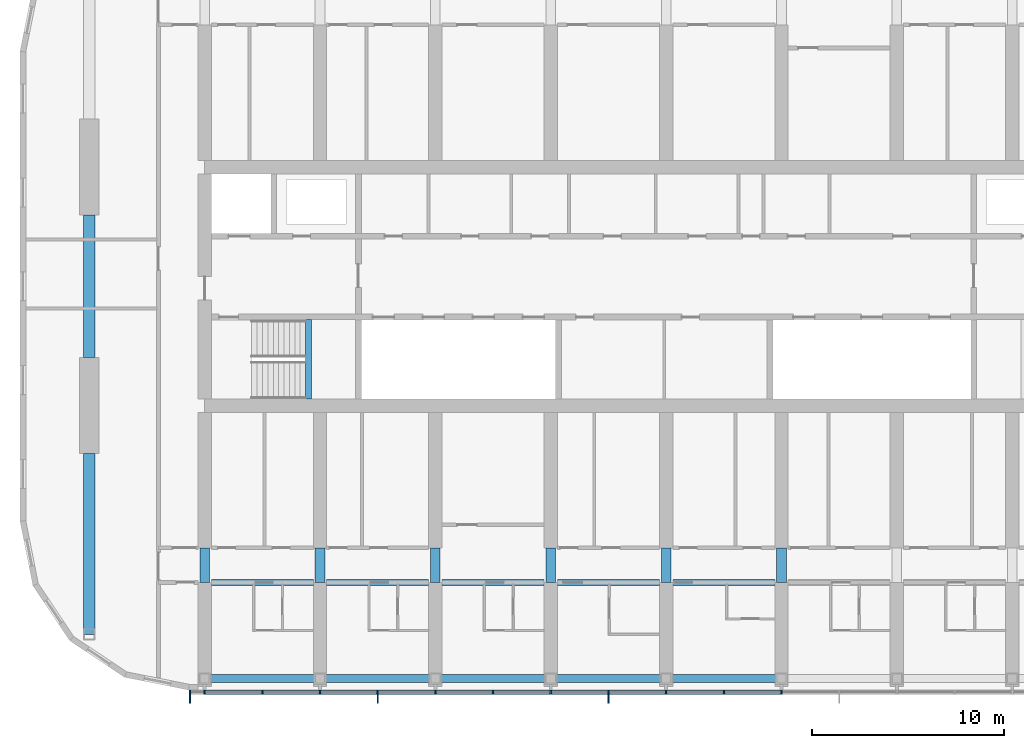
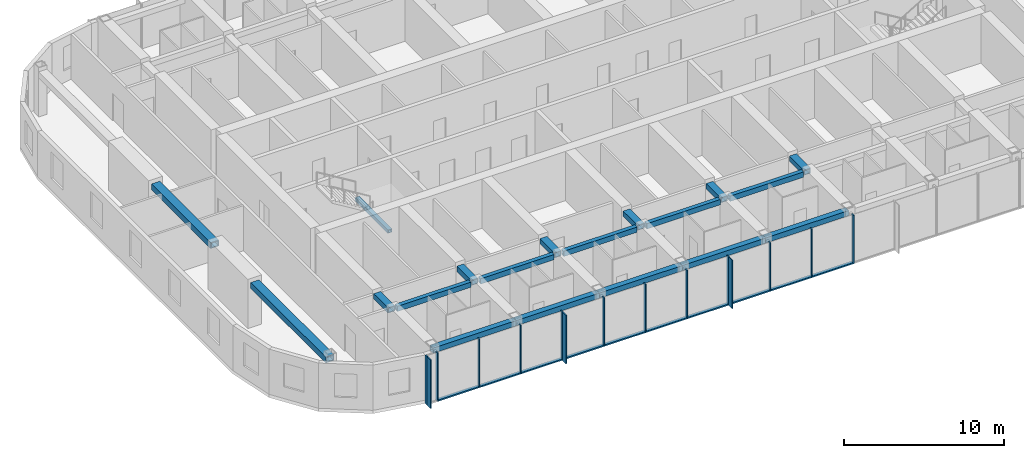
# One storey, part 2 of 23: 25 members, 19 beams, 1 element without a shape of its own.
"""IFC4 building model written with IfcOpenShell, lengths in metres."""

from ifc_helpers import new_model, si_unit, direction, frame, origin, origin_2d, place, context, subcontext, project, spatial, rectangle, hollow_rectangle, extrude, material, material_profile, profile_set, type_object, element, aggregate, save


model = new_model("IFC4")

# Units and contexts
model_context = context("Model", 3, precision=1e-05, world=origin(), true_north=direction((0.0, 1.0)))
body_context = subcontext(model_context, "Body", "Model", "MODEL_VIEW")
ifc_project = project(units=[si_unit("LENGTHUNIT", "METRE"), si_unit("AREAUNIT", "SQUARE_METRE"), si_unit("VOLUMEUNIT", "CUBIC_METRE"), si_unit("PLANEANGLEUNIT", "RADIAN"), si_unit("MASSUNIT", "GRAM", prefix="KILO")], contexts=[model_context])

# Site, building, storey
site_placement = place(None, origin())
site = spatial("IfcSite", under=ifc_project, at=site_placement, CompositionType="ELEMENT")
building_placement = place(site_placement, origin())
building = spatial("IfcBuilding", under=site, at=building_placement, Name="Orbita Commons", CompositionType="ELEMENT")
storey_placement = place(building_placement, frame((0.0, 0.0, 254.050048828125)))
storey = spatial("IfcBuildingStorey", under=building, at=storey_placement, Name="L63", CompositionType="ELEMENT", Elevation=254.050048828125)

# Curtain wall, members
ifc_material_1 = material(Name="Anodised aluminium frame, pale silver", Category="aluminium")
curtain_wall_type = type_object("IfcCurtainWallType", Name="Unitised curtain wall CW-U, full-height vision", PredefinedType="NOTDEFINED", material=ifc_material_1)
curtain_wall_placement = place(storey_placement, origin())
curtain_wall = element("IfcCurtainWall", 1, at=curtain_wall_placement, inside=storey, type_object=curtain_wall_type, Name="Curtain wall south L63", PredefinedType="NOTDEFINED")
ifc_material_2 = material(Name="Anodised aluminium, pale silver", Category="aluminium")
ifc_material_profile_1 = material_profile(ifc_material_2, rectangle(XDim=0.080078125, YDim=0.219970703125, at=origin_2d()), Name="AL 80x220")
ifc_profile_set_1 = profile_set([ifc_material_profile_1], Name="Anodised aluminium, pale silver")
member_type_1 = type_object("IfcMemberType", Name="Curtain wall mullion 80x220", PredefinedType="MULLION", material=ifc_profile_set_1)
member_1_placement = place(storey_placement, frame((17.239990234375, 10.889892578125, -0.25), z_axis=(0.0, 0.0, 1.0), x_axis=(1.0, 0.0, 0.0)))
member_1 = element("IfcMember", 2, at=member_1_placement, type_object=member_type_1, Name="Mullion 1 CW-L63-S", PredefinedType="MULLION", context=body_context, shape_type="SweptSolid", body=[
    extrude(rectangle(XDim=0.080078125, YDim=0.219970703125, at=origin_2d()), origin(), (0.0, 0.0, 1.0), 3.699951171875),
])
member_2_placement = place(storey_placement, frame((18.0, 10.889892578125, -0.25), z_axis=(0.0, 0.0, 1.0), x_axis=(1.0, 0.0, 0.0)))
member_2 = element("IfcMember", 3, at=member_2_placement, type_object=member_type_1, Name="Mullion 2 CW-L63-S", PredefinedType="MULLION", context=body_context, shape_type="SweptSolid", body=[
    extrude(rectangle(XDim=0.080078125, YDim=0.219970703125, at=origin_2d()), origin(), (0.0, 0.0, 1.0), 3.699951171875),
])
member_3_placement = place(storey_placement, frame((21.0, 10.889892578125, -0.25), z_axis=(0.0, 0.0, 1.0), x_axis=(1.0, 0.0, 0.0)))
member_3 = element("IfcMember", 4, at=member_3_placement, type_object=member_type_1, Name="Mullion 3 CW-L63-S", PredefinedType="MULLION", context=body_context, shape_type="SweptSolid", body=[
    extrude(rectangle(XDim=0.080078125, YDim=0.219970703125, at=origin_2d()), origin(), (0.0, 0.0, 1.0), 3.699951171875),
])
member_4_placement = place(storey_placement, frame((24.0, 10.889892578125, -0.25), z_axis=(0.0, 0.0, 1.0), x_axis=(1.0, 0.0, 0.0)))
member_4 = element("IfcMember", 5, at=member_4_placement, type_object=member_type_1, Name="Mullion 4 CW-L63-S", PredefinedType="MULLION", context=body_context, shape_type="SweptSolid", body=[
    extrude(rectangle(XDim=0.080078125, YDim=0.219970703125, at=origin_2d()), origin(), (0.0, 0.0, 1.0), 3.699951171875),
])
member_5_placement = place(storey_placement, frame((27.0, 10.889892578125, -0.25), z_axis=(0.0, 0.0, 1.0), x_axis=(1.0, 0.0, 0.0)))
member_5 = element("IfcMember", 6, at=member_5_placement, type_object=member_type_1, Name="Mullion 5 CW-L63-S", PredefinedType="MULLION", context=body_context, shape_type="SweptSolid", body=[
    extrude(rectangle(XDim=0.080078125, YDim=0.219970703125, at=origin_2d()), origin(), (0.0, 0.0, 1.0), 3.699951171875),
])
member_6_placement = place(storey_placement, frame((30.0, 10.889892578125, -0.25), z_axis=(0.0, 0.0, 1.0), x_axis=(1.0, 0.0, 0.0)))
member_6 = element("IfcMember", 7, at=member_6_placement, type_object=member_type_1, Name="Mullion 6 CW-L63-S", PredefinedType="MULLION", context=body_context, shape_type="SweptSolid", body=[
    extrude(rectangle(XDim=0.080078125, YDim=0.219970703125, at=origin_2d()), origin(), (0.0, 0.0, 1.0), 3.699951171875),
])
member_7_placement = place(storey_placement, frame((33.0, 10.889892578125, -0.25), z_axis=(0.0, 0.0, 1.0), x_axis=(1.0, 0.0, 0.0)))
member_7 = element("IfcMember", 8, at=member_7_placement, type_object=member_type_1, Name="Mullion 7 CW-L63-S", PredefinedType="MULLION", context=body_context, shape_type="SweptSolid", body=[
    extrude(rectangle(XDim=0.080078125, YDim=0.219970703125, at=origin_2d()), origin(), (0.0, 0.0, 1.0), 3.699951171875),
])
member_8_placement = place(storey_placement, frame((36.0, 10.889892578125, -0.25), z_axis=(0.0, 0.0, 1.0), x_axis=(1.0, 0.0, 0.0)))
member_8 = element("IfcMember", 9, at=member_8_placement, type_object=member_type_1, Name="Mullion 8 CW-L63-S", PredefinedType="MULLION", context=body_context, shape_type="SweptSolid", body=[
    extrude(rectangle(XDim=0.080078125, YDim=0.219970703125, at=origin_2d()), origin(), (0.0, 0.0, 1.0), 3.699951171875),
])
member_9_placement = place(storey_placement, frame((39.0, 10.889892578125, -0.25), z_axis=(0.0, 0.0, 1.0), x_axis=(1.0, 0.0, 0.0)))
member_9 = element("IfcMember", 10, at=member_9_placement, type_object=member_type_1, Name="Mullion 9 CW-L63-S", PredefinedType="MULLION", context=body_context, shape_type="SweptSolid", body=[
    extrude(rectangle(XDim=0.080078125, YDim=0.219970703125, at=origin_2d()), origin(), (0.0, 0.0, 1.0), 3.699951171875),
])
member_10_placement = place(storey_placement, frame((42.0, 10.889892578125, -0.25), z_axis=(0.0, 0.0, 1.0), x_axis=(1.0, 0.0, 0.0)))
member_10 = element("IfcMember", 11, at=member_10_placement, type_object=member_type_1, Name="Mullion 10 CW-L63-S", PredefinedType="MULLION", context=body_context, shape_type="SweptSolid", body=[
    extrude(rectangle(XDim=0.080078125, YDim=0.219970703125, at=origin_2d()), origin(), (0.0, 0.0, 1.0), 3.699951171875),
])
member_11_placement = place(storey_placement, frame((45.0, 10.889892578125, -0.25), z_axis=(0.0, 0.0, 1.0), x_axis=(1.0, 0.0, 0.0)))
member_11 = element("IfcMember", 12, at=member_11_placement, type_object=member_type_1, Name="Mullion 11 CW-L63-S", PredefinedType="MULLION", context=body_context, shape_type="SweptSolid", body=[
    extrude(rectangle(XDim=0.080078125, YDim=0.219970703125, at=origin_2d()), origin(), (0.0, 0.0, 1.0), 3.699951171875),
])
member_12_placement = place(storey_placement, frame((48.0, 10.889892578125, -0.25), z_axis=(0.0, 0.0, 1.0), x_axis=(1.0, 0.0, 0.0)))
member_12 = element("IfcMember", 13, at=member_12_placement, type_object=member_type_1, Name="Mullion 12 CW-L63-S", PredefinedType="MULLION", context=body_context, shape_type="SweptSolid", body=[
    extrude(rectangle(XDim=0.080078125, YDim=0.219970703125, at=origin_2d()), origin(), (0.0, 0.0, 1.0), 3.699951171875),
])
ifc_material_3 = material(Name="Anodised aluminium, pale silver", Category="aluminium")
ifc_material_profile_2 = material_profile(ifc_material_3, rectangle(XDim=0.219970703125, YDim=0.10009765625, at=origin_2d()), Name="AL 220x100")
ifc_profile_set_2 = profile_set([ifc_material_profile_2], Name="Anodised aluminium, pale silver")
member_type_2 = type_object("IfcMemberType", Name="Curtain wall stack transom 220x100", PredefinedType="USERDEFINED", material=ifc_profile_set_2)
member_13_placement = place(storey_placement, frame((18.0400390625, 10.889892578125, -0.199951171875), z_axis=(1.0, 0.0, 0.0), x_axis=(0.0, 1.0, 0.0)))
member_13 = element("IfcMember", 14, at=member_13_placement, type_object=member_type_2, Name="Transom 2.1 CW-L63-S", ObjectType="TRANSOM", PredefinedType="USERDEFINED", context=body_context, shape_type="SweptSolid", body=[
    extrude(rectangle(XDim=0.219970703125, YDim=0.10009765625, at=origin_2d()), origin(), (0.0, 0.0, 1.0), 2.919921875),
])
member_14_placement = place(storey_placement, frame((21.0400390625, 10.889892578125, -0.199951171875), z_axis=(1.0, 0.0, 0.0), x_axis=(0.0, 1.0, 0.0)))
member_14 = element("IfcMember", 15, at=member_14_placement, type_object=member_type_2, Name="Transom 3.1 CW-L63-S", ObjectType="TRANSOM", PredefinedType="USERDEFINED", context=body_context, shape_type="SweptSolid", body=[
    extrude(rectangle(XDim=0.219970703125, YDim=0.10009765625, at=origin_2d()), origin(), (0.0, 0.0, 1.0), 2.919921875),
])
member_15_placement = place(storey_placement, frame((24.0400390625, 10.889892578125, -0.199951171875), z_axis=(1.0, 0.0, 0.0), x_axis=(0.0, 1.0, 0.0)))
member_15 = element("IfcMember", 16, at=member_15_placement, type_object=member_type_2, Name="Transom 4.1 CW-L63-S", ObjectType="TRANSOM", PredefinedType="USERDEFINED", context=body_context, shape_type="SweptSolid", body=[
    extrude(rectangle(XDim=0.219970703125, YDim=0.10009765625, at=origin_2d()), origin(), (0.0, 0.0, 1.0), 2.919921875),
])
member_16_placement = place(storey_placement, frame((27.0400390625, 10.889892578125, -0.199951171875), z_axis=(1.0, 0.0, 0.0), x_axis=(0.0, 1.0, 0.0)))
member_16 = element("IfcMember", 17, at=member_16_placement, type_object=member_type_2, Name="Transom 5.1 CW-L63-S", ObjectType="TRANSOM", PredefinedType="USERDEFINED", context=body_context, shape_type="SweptSolid", body=[
    extrude(rectangle(XDim=0.219970703125, YDim=0.10009765625, at=origin_2d()), origin(), (0.0, 0.0, 1.0), 2.919921875),
])
member_17_placement = place(storey_placement, frame((30.0400390625, 10.889892578125, -0.199951171875), z_axis=(1.0, 0.0, 0.0), x_axis=(0.0, 1.0, 0.0)))
member_17 = element("IfcMember", 18, at=member_17_placement, type_object=member_type_2, Name="Transom 6.1 CW-L63-S", ObjectType="TRANSOM", PredefinedType="USERDEFINED", context=body_context, shape_type="SweptSolid", body=[
    extrude(rectangle(XDim=0.219970703125, YDim=0.10009765625, at=origin_2d()), origin(), (0.0, 0.0, 1.0), 2.919921875),
])
member_18_placement = place(storey_placement, frame((33.0400390625, 10.889892578125, -0.199951171875), z_axis=(1.0, 0.0, 0.0), x_axis=(0.0, 1.0, 0.0)))
member_18 = element("IfcMember", 19, at=member_18_placement, type_object=member_type_2, Name="Transom 7.1 CW-L63-S", ObjectType="TRANSOM", PredefinedType="USERDEFINED", context=body_context, shape_type="SweptSolid", body=[
    extrude(rectangle(XDim=0.219970703125, YDim=0.10009765625, at=origin_2d()), origin(), (0.0, 0.0, 1.0), 2.919921875),
])
member_19_placement = place(storey_placement, frame((36.0400390625, 10.889892578125, -0.199951171875), z_axis=(1.0, 0.0, 0.0), x_axis=(0.0, 1.0, 0.0)))
member_19 = element("IfcMember", 20, at=member_19_placement, type_object=member_type_2, Name="Transom 8.1 CW-L63-S", ObjectType="TRANSOM", PredefinedType="USERDEFINED", context=body_context, shape_type="SweptSolid", body=[
    extrude(rectangle(XDim=0.219970703125, YDim=0.10009765625, at=origin_2d()), origin(), (0.0, 0.0, 1.0), 2.919921875),
])
member_20_placement = place(storey_placement, frame((39.0400390625, 10.889892578125, -0.199951171875), z_axis=(1.0, 0.0, 0.0), x_axis=(0.0, 1.0, 0.0)))
member_20 = element("IfcMember", 21, at=member_20_placement, type_object=member_type_2, Name="Transom 9.1 CW-L63-S", ObjectType="TRANSOM", PredefinedType="USERDEFINED", context=body_context, shape_type="SweptSolid", body=[
    extrude(rectangle(XDim=0.219970703125, YDim=0.10009765625, at=origin_2d()), origin(), (0.0, 0.0, 1.0), 2.919921875),
])
member_21_placement = place(storey_placement, frame((42.0400390625, 10.889892578125, -0.199951171875), z_axis=(1.0, 0.0, 0.0), x_axis=(0.0, 1.0, 0.0)))
member_21 = element("IfcMember", 22, at=member_21_placement, type_object=member_type_2, Name="Transom 10.1 CW-L63-S", ObjectType="TRANSOM", PredefinedType="USERDEFINED", context=body_context, shape_type="SweptSolid", body=[
    extrude(rectangle(XDim=0.219970703125, YDim=0.10009765625, at=origin_2d()), origin(), (0.0, 0.0, 1.0), 2.919921875),
])
member_22_placement = place(storey_placement, frame((45.0400390625, 10.889892578125, -0.199951171875), z_axis=(1.0, 0.0, 0.0), x_axis=(0.0, 1.0, 0.0)))
member_22 = element("IfcMember", 23, at=member_22_placement, type_object=member_type_2, Name="Transom 11.1 CW-L63-S", ObjectType="TRANSOM", PredefinedType="USERDEFINED", context=body_context, shape_type="SweptSolid", body=[
    extrude(rectangle(XDim=0.219970703125, YDim=0.10009765625, at=origin_2d()), origin(), (0.0, 0.0, 1.0), 2.919921875),
])

# Beams
ifc_material_4 = material(Name="Steel ASTM A572 Gr 50 welded plate", Category="steel")
ifc_material_profile_3 = material_profile(ifc_material_4, hollow_rectangle(XDim=0.300048828125, YDim=0.25, WallThickness=0.02490234375, at=origin_2d()), Name="BOX 250x300x25")
ifc_profile_set_3 = profile_set([ifc_material_profile_3], Name="Steel ASTM A572 Gr 50 welded plate")
beam_type_1 = type_object("IfcBeamType", Name="Stair landing beam steel BOX 250x300x25", PredefinedType="BEAM", material=ifc_profile_set_3)
beam_1_placement = place(storey_placement, frame((23.39990234375, 26.135009765625, 1.550048828125), z_axis=(0.0, 1.0, 0.0), x_axis=(-1.0, 0.0, 0.0)))
element("IfcBeam", 24, at=beam_1_placement, inside=storey, type_object=beam_type_1, Name="Stair S1 landing beam L63 1", PredefinedType="BEAM", context=body_context, shape_type="SweptSolid", body=[
    extrude(hollow_rectangle(XDim=0.300048828125, YDim=0.25, WallThickness=0.02490234375, at=origin_2d()), origin(), (0.0, 0.0, 1.0), 4.1298828125),
])
ifc_material_5 = material(Name="Steel ASTM A572 Gr 50 welded plate", Category="steel")
ifc_material_profile_4 = material_profile(ifc_material_5, hollow_rectangle(XDim=0.300048828125, YDim=0.39990234375, WallThickness=0.0400390625, at=origin_2d()), Name="BOX 400x300x40")
ifc_profile_set_4 = profile_set([ifc_material_profile_4], Name="Steel ASTM A572 Gr 50 welded plate")
beam_type_2 = type_object("IfcBeamType", Name="Steel corridor link BOX 400x300x40", PredefinedType="BEAM", material=ifc_profile_set_4)
for number, where, z_axis, x_axis, name in (
    (25, (18.35009765625, 16.60009765625, 3.25), (1.0, 0.0, 0.0), (0.0, 1.0, 0.0), "Corridor beam SA 4-5 L63"),
    (26, (24.35009765625, 16.60009765625, 3.25), (1.0, 0.0, 0.0), (0.0, 1.0, 0.0), "Corridor beam SA 5-6 L63"),
    (27, (30.35009765625, 16.60009765625, 3.25), (1.0, 0.0, 0.0), (0.0, 1.0, 0.0), "Corridor beam SA 6-7 L63"),
    (28, (36.35009765625, 16.60009765625, 3.25), (1.0, 0.0, 0.0), (0.0, 1.0, 0.0), "Corridor beam SA 7-8 L63"),
    (29, (42.35009765625, 16.60009765625, 3.25), (1.0, 0.0, 0.0), (0.0, 1.0, 0.0), "Corridor beam SA 8-9 L63"),
):
    element("IfcBeam", number, at=place(storey_placement, frame(where, z_axis=z_axis, x_axis=x_axis)), inside=storey, type_object=beam_type_2, Name=name, PredefinedType="BEAM", context=body_context, shape_type="SweptSolid", body=[
        extrude(hollow_rectangle(XDim=0.300048828125, YDim=0.39990234375, WallThickness=0.0400390625, at=origin_2d()), origin(), (0.0, 0.0, 1.0), 5.2998046875),
    ])
ifc_material_6 = material(Name="Steel ASTM A572 Gr 50 welded plate", Category="steel")
ifc_material_profile_5 = material_profile(ifc_material_6, hollow_rectangle(XDim=0.5, YDim=0.39990234375, WallThickness=0.050048828125, at=origin_2d()), Name="BOX 400x500x50")
ifc_profile_set_5 = profile_set([ifc_material_profile_5], Name="Steel ASTM A572 Gr 50 welded plate")
beam_type_3 = type_object("IfcBeamType", Name="Steel coupling link BOX 400x500x50", PredefinedType="LINTEL", material=ifc_profile_set_5)
for number, where, z_axis, x_axis, name in (
    (30, (18.0, 16.60009765625, 3.25), (0.0, 1.0, 0.0), (-1.0, 0.0, 0.0), "Coupling beam 4 south L63"),
    (31, (24.0, 16.60009765625, 3.25), (0.0, 1.0, 0.0), (-1.0, 0.0, 0.0), "Coupling beam 5 south L63"),
    (32, (30.0, 16.60009765625, 3.25), (0.0, 1.0, 0.0), (-1.0, 0.0, 0.0), "Coupling beam 6 south L63"),
    (33, (36.0, 16.60009765625, 3.25), (0.0, 1.0, 0.0), (-1.0, 0.0, 0.0), "Coupling beam 7 south L63"),
    (34, (42.0, 16.60009765625, 3.25), (0.0, 1.0, 0.0), (-1.0, 0.0, 0.0), "Coupling beam 8 south L63"),
    (35, (48.0, 16.60009765625, 3.25), (0.0, 1.0, 0.0), (-1.0, 0.0, 0.0), "Coupling beam 9 south L63"),
):
    element("IfcBeam", number, at=place(storey_placement, frame(where, z_axis=z_axis, x_axis=x_axis)), inside=storey, type_object=beam_type_3, Name=name, PredefinedType="LINTEL", context=body_context, shape_type="SweptSolid", body=[
        extrude(hollow_rectangle(XDim=0.5, YDim=0.39990234375, WallThickness=0.050048828125, at=origin_2d()), origin(), (0.0, 0.0, 1.0), 1.7998046875),
    ])
ifc_material_7 = material(Name="Steel ASTM A572 Gr 50 welded plate", Category="steel")
ifc_material_profile_6 = material_profile(ifc_material_7, hollow_rectangle(XDim=0.60009765625, YDim=0.449951171875, WallThickness=0.06005859375, at=origin_2d()), Name="BOX 450x600x60")
ifc_profile_set_6 = profile_set([ifc_material_profile_6], Name="Steel ASTM A572 Gr 50 welded plate")
beam_type_4 = type_object("IfcBeamType", Name="Steel end frame link BOX 450x600x60", PredefinedType="BEAM", material=ifc_profile_set_6)
beam_2_placement = place(storey_placement, frame((12.0, 13.89990234375, 3.224853515625), z_axis=(0.0, 1.0, 0.0), x_axis=(-1.0, 0.0, 0.0)))
element("IfcBeam", 36, at=beam_2_placement, inside=storey, type_object=beam_type_4, Name="End frame beam 3 B-C L63", PredefinedType="BEAM", context=body_context, shape_type="SweptSolid", body=[
    extrude(hollow_rectangle(XDim=0.60009765625, YDim=0.449951171875, WallThickness=0.06005859375, at=origin_2d()), origin(), (0.0, 0.0, 1.0), 9.400146484375),
])
beam_3_placement = place(storey_placement, frame((12.0, 28.300048828125, 3.224853515625), z_axis=(0.0, 1.0, 0.0), x_axis=(-1.0, 0.0, 0.0)))
element("IfcBeam", 37, at=beam_3_placement, inside=storey, type_object=beam_type_4, Name="End frame beam 3 C-D L63", PredefinedType="BEAM", context=body_context, shape_type="SweptSolid", body=[
    extrude(hollow_rectangle(XDim=0.60009765625, YDim=0.449951171875, WallThickness=0.06005859375, at=origin_2d()), origin(), (0.0, 0.0, 1.0), 7.39990234375),
])
ifc_material_8 = material(Name="Steel ASTM A572 Gr 50 welded plate", Category="steel")
ifc_material_profile_7 = material_profile(ifc_material_8, hollow_rectangle(XDim=0.39990234375, YDim=0.39990234375, WallThickness=0.0400390625, at=origin_2d()), Name="BOX 400x400x40")
ifc_profile_set_7 = profile_set([ifc_material_profile_7], Name="Steel ASTM A572 Gr 50 welded plate")
beam_type_5 = type_object("IfcBeamType", Name="Steel spandrel BOX 400x400x40", PredefinedType="SPANDREL", material=ifc_profile_set_7)
for number, where, z_axis, x_axis, name in (
    (38, (18.0, 11.60009765625, 3.25), (1.0, 0.0, 0.0), (0.0, 1.0, 0.0), "Spandrel beam B 4-5 L63"),
    (39, (24.0, 11.60009765625, 3.25), (1.0, 0.0, 0.0), (0.0, 1.0, 0.0), "Spandrel beam B 5-6 L63"),
    (40, (30.0, 11.60009765625, 3.25), (1.0, 0.0, 0.0), (0.0, 1.0, 0.0), "Spandrel beam B 6-7 L63"),
    (41, (36.0, 11.60009765625, 3.25), (1.0, 0.0, 0.0), (0.0, 1.0, 0.0), "Spandrel beam B 7-8 L63"),
    (42, (42.0, 11.60009765625, 3.25), (1.0, 0.0, 0.0), (0.0, 1.0, 0.0), "Spandrel beam B 8-9 L63"),
):
    element("IfcBeam", number, at=place(storey_placement, frame(where, z_axis=z_axis, x_axis=x_axis)), inside=storey, type_object=beam_type_5, Name=name, PredefinedType="SPANDREL", context=body_context, shape_type="SweptSolid", body=[
        extrude(hollow_rectangle(XDim=0.39990234375, YDim=0.39990234375, WallThickness=0.0400390625, at=origin_2d()), origin(), (0.0, 0.0, 1.0), 6.0),
    ])

# Member
ifc_material_9 = material(Name="Anodised aluminium, pale silver", Category="aluminium")
ifc_material_profile_8 = material_profile(ifc_material_9, rectangle(XDim=0.06005859375, YDim=0.449951171875, at=origin_2d()), Name="FIN 60x450")
ifc_profile_set_8 = profile_set([ifc_material_profile_8], Name="Anodised aluminium, pale silver")
member_type_3 = type_object("IfcMemberType", Name="Vertical fin 60x450 pale aluminium", PredefinedType="USERDEFINED", material=ifc_profile_set_8)
member_23_placement = place(storey_placement, frame((17.239990234375, 10.554931640625, -0.25), z_axis=(0.0, 0.0, 1.0), x_axis=(1.0, 0.0, 0.0)))
member_23 = element("IfcMember", 43, at=member_23_placement, type_object=member_type_3, Name="Fin 1 CW-L63-S", ObjectType="FIN", PredefinedType="USERDEFINED", context=body_context, shape_type="SweptSolid", body=[
    extrude(rectangle(XDim=0.06005859375, YDim=0.449951171875, at=origin_2d()), origin(), (0.0, 0.0, 1.0), 3.699951171875),
])

member_24_placement = place(storey_placement, frame((27.0, 10.554931640625, -0.25), z_axis=(0.0, 0.0, 1.0), x_axis=(1.0, 0.0, 0.0)))
member_24 = element("IfcMember", 44, at=member_24_placement, type_object=member_type_3, Name="Fin 5 CW-L63-S", ObjectType="FIN", PredefinedType="USERDEFINED", context=body_context, shape_type="SweptSolid", body=[
    extrude(rectangle(XDim=0.06005859375, YDim=0.449951171875, at=origin_2d()), origin(), (0.0, 0.0, 1.0), 3.699951171875),
])

member_25_placement = place(storey_placement, frame((39.0, 10.554931640625, -0.25), z_axis=(0.0, 0.0, 1.0), x_axis=(1.0, 0.0, 0.0)))
member_25 = element("IfcMember", 45, at=member_25_placement, type_object=member_type_3, Name="Fin 9 CW-L63-S", ObjectType="FIN", PredefinedType="USERDEFINED", context=body_context, shape_type="SweptSolid", body=[
    extrude(rectangle(XDim=0.06005859375, YDim=0.449951171875, at=origin_2d()), origin(), (0.0, 0.0, 1.0), 3.699951171875),
])

aggregate(curtain_wall, [member_1, member_23, member_2, member_3, member_4, member_5, member_24, member_6, member_7, member_8, member_9, member_25, member_10, member_11, member_12, member_13, member_14, member_15, member_16, member_17, member_18, member_19, member_20, member_21, member_22])

save(model, "model.ifc")
